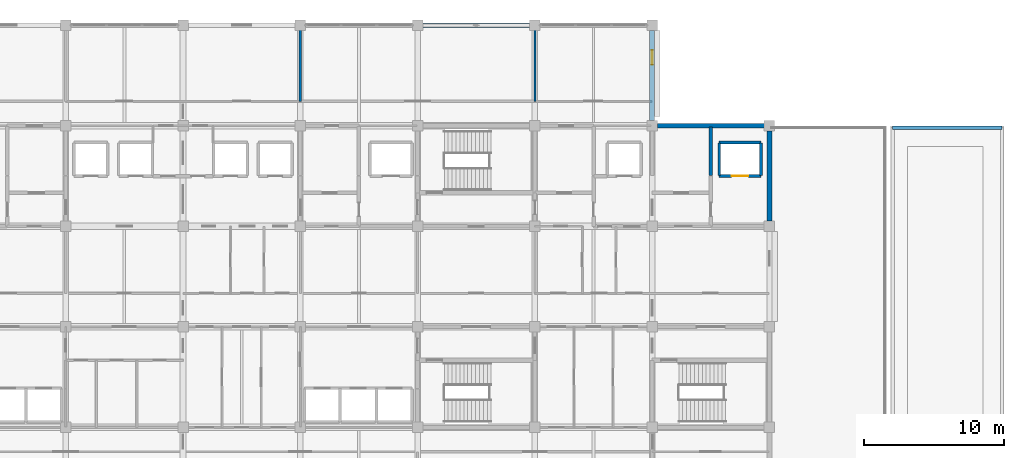
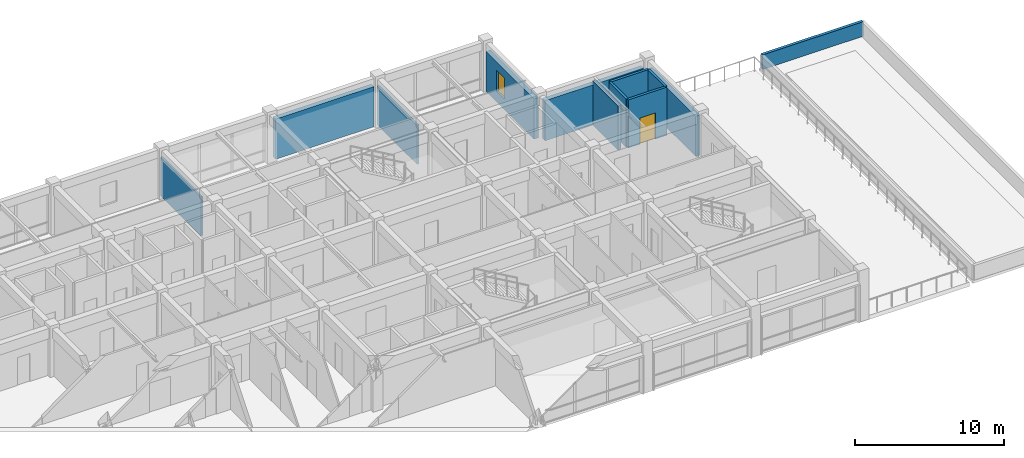
# One storey, part 23 of 27: 12 walls, 1 door, 1 window, 2 openings.
"""IFC4 building model written with IfcOpenShell, lengths in metres."""

from ifc_helpers import new_model, si_unit, direction, frame, frame_2d, origin, place, context, subcontext, project, spatial, rectangle, extrude, material, layer, layer_set, type_object, element, fill, save


model = new_model("IFC4")

# Units and contexts
model_context = context("Model", 3, precision=1e-05, world=origin(), true_north=direction((0.0, 1.0)))
body_context = subcontext(model_context, "Body", "Model", "MODEL_VIEW")
ifc_project = project(units=[si_unit("LENGTHUNIT", "METRE"), si_unit("AREAUNIT", "SQUARE_METRE"), si_unit("VOLUMEUNIT", "CUBIC_METRE"), si_unit("PLANEANGLEUNIT", "RADIAN"), si_unit("MASSUNIT", "GRAM", prefix="KILO")], contexts=[model_context])

# Site, building, storey
site_placement = place(None, origin())
site = spatial("IfcSite", under=ifc_project, at=site_placement, CompositionType="ELEMENT")
building_placement = place(site_placement, origin())
building = spatial("IfcBuilding", under=site, at=building_placement, Name="Chengyuan Square Courthouse", CompositionType="ELEMENT")
storey_placement = place(building_placement, frame((0.0, 0.0, 35.10009765625)))
storey = spatial("IfcBuildingStorey", under=building, at=storey_placement, Name="L08", CompositionType="ELEMENT", Elevation=35.10009765625)

# Wall
ifc_material_1 = material(Name="Concrete C40", Category="concrete")
ifc_layer_1 = layer(ifc_material_1, 0.35009765625)
ifc_layer_set_1 = layer_set([ifc_layer_1], Name="Concrete C40")
wall_type_1 = type_object("IfcWallType", Name="WL-EW2", PredefinedType="STANDARD", material=ifc_layer_set_1)
wall_1_placement = place(storey_placement, frame((101.169921875, 115.199951171875, 0.0), z_axis=(0.0, 0.0, 1.0), x_axis=(1.0, 0.0, 0.0)))
element("IfcWall", 1, at=wall_1_placement, inside=storey, type_object=wall_type_1, Name="Exterior Wall WL-L08-E405", PredefinedType="STANDARD", context=body_context, shape_type="SweptSolid", body=[
    extrude(rectangle(XDim=7.66015625, YDim=0.35009765625, at=frame_2d((3.830078125, 0.0))), origin(), (0.0, 0.0, 1.0), 3.2998046875),
])

# Wall, opening, window
wall_2_placement = place(storey_placement, frame((117.60009765625, 108.3701171875, 0.0), z_axis=(0.0, 0.0, 1.0), x_axis=(0.0, 1.0, 0.0)))
wall_2 = element("IfcWall", 2, at=wall_2_placement, inside=storey, type_object=wall_type_1, Name="Exterior Wall WL-L08-E406", PredefinedType="STANDARD", context=body_context, shape_type="SweptSolid", body=[
    extrude(rectangle(XDim=6.4599609375, YDim=0.35009765625, at=frame_2d((3.22998046875, 0.0))), origin(), (0.0, 0.0, 1.0), 3.2998046875),
])
opening_1_placement = place(wall_2_placement, frame((4.0048828125, 0.0, 0.85009765625)))
opening_1 = element("IfcOpeningElement", 3, at=opening_1_placement, cuts=wall_2, Name="Opening WN-158", PredefinedType="OPENING", context=body_context, shape_type="SweptSolid", body=[
    extrude(rectangle(XDim=1.050048828125, YDim=1.739990234375, at=frame_2d((0.52490234375, 0.8701171875))), frame((0.0, 0.18701171875, 0.0), z_axis=(0.0, -1.0, 0.0), x_axis=(1.0, 0.0, 0.0)), (0.0, 0.0, 1.0), 0.3740234375),
])
ifc_material_2 = material(Name="Thermally Broken Aluminium Triple Low-E Window", Category="aluminium")
window_type = type_object("IfcWindowType", Name="WT-10", PartitioningType="SINGLE_PANEL", PredefinedType="WINDOW", material=ifc_material_2)
window_placement = place(opening_1_placement, origin())
window = element("IfcWindow", 4, at=window_placement, inside=storey, type_object=window_type, Name="Facade Window WN-158", OverallHeight=1.739990234375, OverallWidth=1.050048828125, PartitioningType="SINGLE_PANEL", PredefinedType="WINDOW", context=body_context, shape_type="SweptSolid", body=[
    extrude(rectangle(XDim=1.050048828125, YDim=1.739990234375, at=frame_2d((0.52490234375, 0.8701171875))), frame((0.0, 0.030029296875, 0.0), z_axis=(0.0, -1.0, 0.0), x_axis=(1.0, 0.0, 0.0)), (0.0, 0.0, 1.0), 0.06005859375),
])
fill(opening_1, window)

# Walls
wall_3_placement = place(storey_placement, frame((117.969970703125, 108.0, 0.0), z_axis=(0.0, 0.0, 1.0), x_axis=(1.0, 0.0, 0.0)))
element("IfcWall", 5, at=wall_3_placement, inside=storey, type_object=wall_type_1, Name="Exterior Wall WL-L08-E410", PredefinedType="STANDARD", context=body_context, shape_type="SweptSolid", body=[
    extrude(rectangle(XDim=7.659912109375, YDim=0.35009765625, at=frame_2d((3.830078125, 0.0))), origin(), (0.0, 0.0, 1.0), 3.2998046875),
])
wall_4_placement = place(storey_placement, frame((126.0, 101.169921875, 0.0), z_axis=(0.0, 0.0, 1.0), x_axis=(0.0, 1.0, 0.0)))
element("IfcWall", 6, at=wall_4_placement, inside=storey, type_object=wall_type_1, Name="Exterior Wall WL-L08-E411", PredefinedType="STANDARD", context=body_context, shape_type="SweptSolid", body=[
    extrude(rectangle(XDim=6.4599609375, YDim=0.35009765625, at=frame_2d((3.22998046875, 0.0))), origin(), (0.0, 0.0, 1.0), 3.2998046875),
])
ifc_layer_2 = layer(ifc_material_1, 0.25)
ifc_layer_set_2 = layer_set([ifc_layer_2], Name="Concrete C40")
wall_type_2 = type_object("IfcWallType", Name="WL-FW1", PredefinedType="STANDARD", material=ifc_layer_set_2)
wall_5_placement = place(storey_placement, frame((121.800048828125, 104.449951171875, 0.0), z_axis=(0.0, 0.0, 1.0), x_axis=(0.0, 1.0, 0.0)))
element("IfcWall", 7, at=wall_5_placement, inside=storey, type_object=wall_type_2, Name="Interior Wall WL-L08-I3081", PredefinedType="STANDARD", context=body_context, shape_type="SweptSolid", body=[
    extrude(rectangle(XDim=3.4599609375, YDim=0.25, at=frame_2d((1.72998046875, 0.0))), origin(), (0.0, 0.0, 1.0), 3.599853515625),
])
ifc_layer_3 = layer(ifc_material_1, 0.219970703125)
ifc_layer_set_3 = layer_set([ifc_layer_3], Name="Concrete C40")
wall_type_3 = type_object("IfcWallType", Name="WL-PR1", PredefinedType="PARAPET", material=ifc_layer_set_3)
wall_6_placement = place(storey_placement, frame((142.659912109375, 107.860107421875, 0.0), z_axis=(0.0, 0.0, 1.0), x_axis=(-1.0, 0.0, 0.0)))
element("IfcWall", 8, at=wall_6_placement, inside=storey, type_object=wall_type_3, Name="Roof Parapet Wall PAR-L08-029", PredefinedType="PARAPET", context=body_context, shape_type="SweptSolid", body=[
    extrude(rectangle(XDim=7.83984375, YDim=0.219970703125, at=frame_2d((3.919921875, 0.0))), origin(), (0.0, 0.0, 1.0), 1.199951171875),
])
ifc_material_3 = material(Name="Acoustic Timber-Lined Gypsum Partition", Category="wood")
ifc_layer_4 = layer(ifc_material_3, 0.159912109375)
ifc_layer_set_4 = layer_set([ifc_layer_4], Name="Acoustic Timber-Lined Gypsum Partition")
wall_type_4 = type_object("IfcWallType", Name="WL-PT2", PredefinedType="STANDARD", material=ifc_layer_set_4)
for number, where, z_axis, x_axis, name in (
    (9, (92.39990234375, 109.75, 0.0), (0.0, 0.0, 1.0), (0.0, 1.0, 0.0), "Interior Wall WL-L08-I3045"),
    (10, (109.199951171875, 109.75, 0.0), (0.0, 0.0, 1.0), (0.0, 1.0, 0.0), "Interior Wall WL-L08-I3067"),
):
    element("IfcWall", number, at=place(storey_placement, frame(where, z_axis=z_axis, x_axis=x_axis)), inside=storey, type_object=wall_type_4, Name=name, PredefinedType="STANDARD", context=body_context, shape_type="SweptSolid", body=[
        extrude(rectangle(XDim=5.409912109375, YDim=0.159912109375, at=frame_2d((2.705078125, 0.0))), origin(), (0.0, 0.0, 1.0), 3.199951171875),
    ])

# Wall, opening, door
ifc_material_4 = material(Name="Reinforced Masonry Shaft Enclosure", Category="masonry")
ifc_layer_5 = layer(ifc_material_4, 0.199951171875)
ifc_layer_set_5 = layer_set([ifc_layer_5], Name="Reinforced Masonry Shaft Enclosure")
wall_type_5 = type_object("IfcWallType", Name="WL-SH1", PredefinedType="STANDARD", material=ifc_layer_set_5)
wall_7_placement = place(storey_placement, frame((122.39990234375, 104.39990234375, 0.0), z_axis=(0.0, 0.0, 1.0), x_axis=(1.0, 0.0, 0.0)))
wall_7 = element("IfcWall", 11, at=wall_7_placement, inside=storey, type_object=wall_type_5, Name="Interior Wall WL-L08-I2949", PredefinedType="STANDARD", context=body_context, shape_type="SweptSolid", body=[
    extrude(rectangle(XDim=3.0, YDim=0.199951171875, at=frame_2d((1.5, 0.0))), origin(), (0.0, 0.0, 1.0), 3.949951171875),
])
opening_2_placement = place(wall_7_placement, frame((0.89990234375, 0.0, 0.0)))
opening_2 = element("IfcOpeningElement", 12, at=opening_2_placement, cuts=wall_7, Name="Opening LD-136", PredefinedType="OPENING", context=body_context, shape_type="SweptSolid", body=[
    extrude(rectangle(XDim=1.199951171875, YDim=2.14990234375, at=frame_2d((0.60009765625, 1.074951171875))), frame((0.0, 0.112060546875, 0.0), z_axis=(0.0, -1.0, 0.0), x_axis=(1.0, 0.0, 0.0)), (0.0, 0.0, 1.0), 0.223876953125),
])
ifc_material_5 = material(Name="Stainless Steel S30408 Lift Landing Door", Category="steel")
door_type = type_object("IfcDoorType", Name="DT-05", OperationType="DOUBLE_DOOR_SLIDING", PredefinedType="DOOR", material=ifc_material_5)
door_placement = place(opening_2_placement, origin())
door = element("IfcDoor", 13, at=door_placement, inside=storey, type_object=door_type, Name="Lift Landing Door LF-F4 L08", OperationType="DOUBLE_DOOR_SLIDING", OverallHeight=2.14990234375, OverallWidth=1.199951171875, PredefinedType="DOOR", context=body_context, shape_type="SweptSolid", body=[
    extrude(rectangle(XDim=1.199951171875, YDim=2.14990234375, at=frame_2d((0.60009765625, 1.074951171875))), frame((0.0, 0.02490234375, 0.0), z_axis=(0.0, -1.0, 0.0), x_axis=(1.0, 0.0, 0.0)), (0.0, 0.0, 1.0), 0.050048828125),
])
fill(opening_2, door)

# Walls
wall_8_placement = place(storey_placement, frame((122.39990234375, 106.800048828125, 0.0), z_axis=(0.0, 0.0, 1.0), x_axis=(1.0, 0.0, 0.0)))
element("IfcWall", 14, at=wall_8_placement, inside=storey, type_object=wall_type_5, Name="Interior Wall WL-L08-I2959", PredefinedType="STANDARD", context=body_context, shape_type="SweptSolid", body=[
    extrude(rectangle(XDim=3.0, YDim=0.199951171875, at=frame_2d((1.5, 0.0))), origin(), (0.0, 0.0, 1.0), 3.949951171875),
])
for number, where, z_axis, x_axis, name in (
    (15, (122.39990234375, 104.449951171875, 0.0), (0.0, 0.0, 1.0), (0.0, 1.0, 0.0), "Interior Wall WL-L08-I3082"),
    (16, (125.39990234375, 104.449951171875, 0.0), (0.0, 0.0, 1.0), (0.0, 1.0, 0.0), "Interior Wall WL-L08-I3083"),
):
    element("IfcWall", number, at=place(storey_placement, frame(where, z_axis=z_axis, x_axis=x_axis)), inside=storey, type_object=wall_type_5, Name=name, PredefinedType="STANDARD", context=body_context, shape_type="SweptSolid", body=[
        extrude(rectangle(XDim=2.300048828125, YDim=0.199951171875, at=frame_2d((1.14990234375, 0.0))), origin(), (0.0, 0.0, 1.0), 3.949951171875),
    ])

save(model, "model.ifc")
